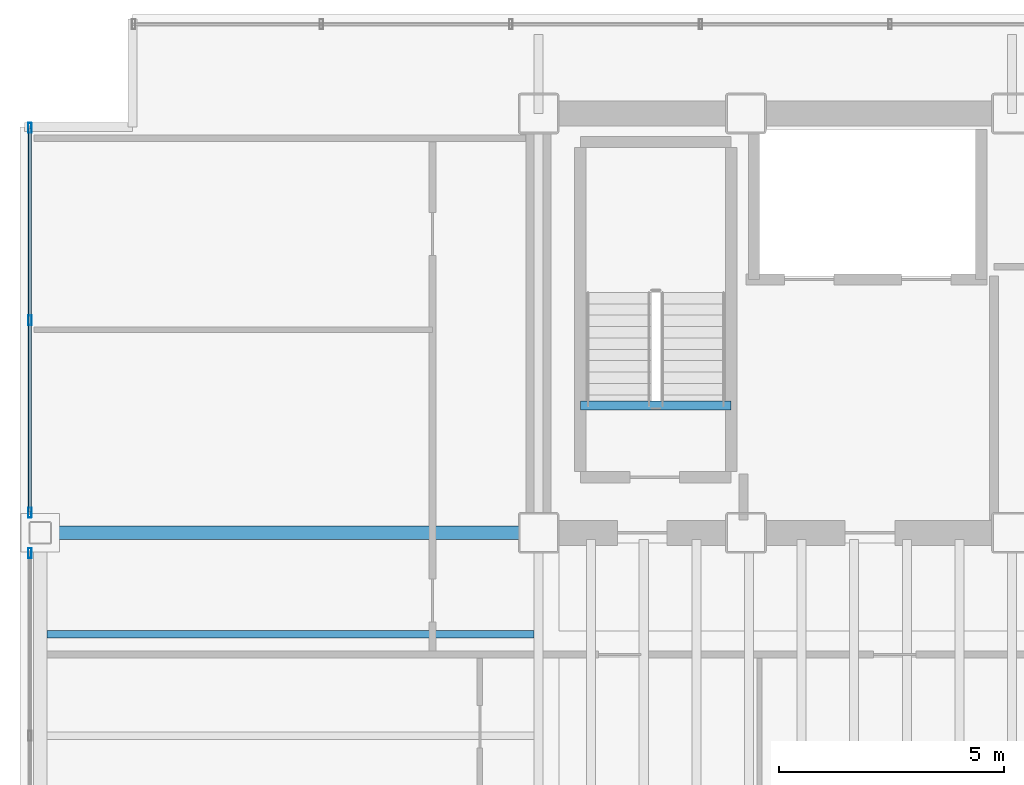
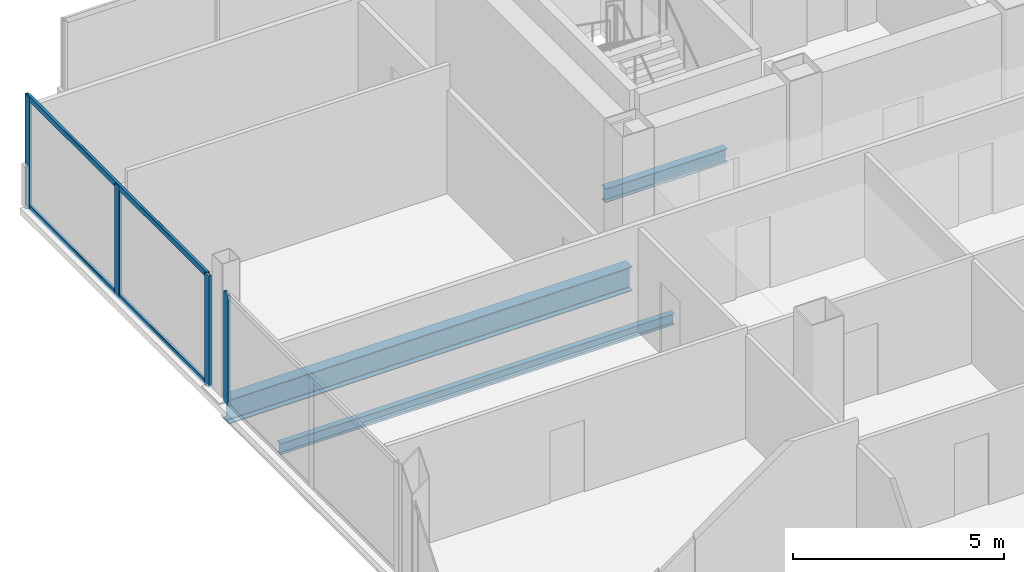
# One storey, part 8 of 22: 6 members, 3 beams, 2 elements without a shape of their own.
"""IFC4 building model written with IfcOpenShell, lengths in metres."""

from ifc_helpers import new_model, si_unit, direction, frame, origin, origin_2d, place, context, subcontext, project, spatial, hollow_rectangle, i_section, extrude, material, material_profile, profile_set, type_object, element, aggregate, save


model = new_model("IFC4")

# Units and contexts
model_context = context("Model", 3, precision=1e-05, world=origin(), true_north=direction((0.0, 1.0)))
body_context = subcontext(model_context, "Body", "Model", "MODEL_VIEW")
ifc_project = project(units=[si_unit("LENGTHUNIT", "METRE"), si_unit("AREAUNIT", "SQUARE_METRE"), si_unit("VOLUMEUNIT", "CUBIC_METRE"), si_unit("PLANEANGLEUNIT", "RADIAN"), si_unit("MASSUNIT", "GRAM", prefix="KILO")], contexts=[model_context])

# Site, building, storey
site_placement = place(None, origin())
site = spatial("IfcSite", under=ifc_project, at=site_placement, CompositionType="ELEMENT")
building_placement = place(site_placement, origin())
building = spatial("IfcBuilding", under=site, at=building_placement, Name="Noeulbin Bourse Tower", CompositionType="ELEMENT")
storey_placement = place(building_placement, frame((0.0, 0.0, 130.5)))
storey = spatial("IfcBuildingStorey", under=building, at=storey_placement, Name="L32", CompositionType="ELEMENT", Elevation=130.5)

# Beams
ifc_material_1 = material(Name="Steel S355", Category="steel")
ifc_material_profile_1 = material_profile(ifc_material_1, i_section(OverallWidth=0.300048828125, OverallDepth=0.699951171875, WebThickness=0.012939453125, FlangeThickness=0.02392578125, FilletRadius=0.02392578125, at=origin_2d()), Name="H-700x300x13x24", Category="LoadBearing")
ifc_profile_set_1 = profile_set([ifc_material_profile_1], Name="Steel S355")
beam_type_1 = type_object("IfcBeamType", Name="BM-GRD-700", PredefinedType="USERDEFINED", material=ifc_profile_set_1)
beam_1_placement = place(storey_placement, frame((2.449951171875, 29.0, -0.530029296875), z_axis=(1.0, 0.0, 0.0), x_axis=(0.0, 1.0, 0.0)))
element("IfcBeam", 1, at=beam_1_placement, inside=storey, type_object=beam_type_1, Name="Tower Primary Girder EW L32-2.1", ObjectType="GIRDER", PredefinedType="USERDEFINED", context=body_context, shape_type="SweptSolid", body=[
    extrude(i_section(OverallWidth=0.300048828125, OverallDepth=0.699951171875, WebThickness=0.012939453125, FlangeThickness=0.02392578125, FilletRadius=0.02392578125, at=origin_2d()), origin(), (0.0, 0.0, 1.0), 11.050048828125),
])
ifc_material_profile_2 = material_profile(ifc_material_1, i_section(OverallWidth=0.159912109375, OverallDepth=0.320068359375, WebThickness=0.006591796875, FlangeThickness=0.010009765625, FilletRadius=0.012939453125, at=origin_2d()), Name="H-320x160x6.5x10", Category="LoadBearing")
ifc_profile_set_2 = profile_set([ifc_material_profile_2], Name="Steel S355")
beam_type_2 = type_object("IfcBeamType", Name="BM-JST-320", PredefinedType="JOIST", material=ifc_profile_set_2)
beam_2_placement = place(storey_placement, frame((2.60009765625, 26.75, -0.340087890625), z_axis=(1.0, 0.0, 0.0), x_axis=(0.0, 1.0, 0.0)))
element("IfcBeam", 2, at=beam_2_placement, inside=storey, type_object=beam_type_2, Name="Wing Composite Joist L32-W49", PredefinedType="JOIST", context=body_context, shape_type="SweptSolid", body=[
    extrude(i_section(OverallWidth=0.159912109375, OverallDepth=0.320068359375, WebThickness=0.006591796875, FlangeThickness=0.010009765625, FilletRadius=0.012939453125, at=origin_2d()), origin(), (0.0, 0.0, 1.0), 10.7998046875),
])
ifc_material_profile_3 = material_profile(ifc_material_1, i_section(OverallWidth=0.199951171875, OverallDepth=0.39990234375, WebThickness=0.008056640625, FlangeThickness=0.012939453125, FilletRadius=0.01611328125, at=origin_2d()), Name="H-400x200x8x13", Category="LoadBearing")
ifc_profile_set_3 = profile_set([ifc_material_profile_3], Name="Steel S355")
beam_type_3 = type_object("IfcBeamType", Name="BM-SEC-400", PredefinedType="BEAM", material=ifc_profile_set_3)
beam_3_placement = place(storey_placement, frame((14.429931640625, 31.820068359375, -0.199951171875), z_axis=(1.0, 0.0, 0.0), x_axis=(0.0, 1.0, 0.0)))
element("IfcBeam", 3, at=beam_3_placement, inside=storey, type_object=beam_type_3, Name="Stair Threshold Trimmer Beam ST1-L32", PredefinedType="BEAM", context=body_context, shape_type="SweptSolid", body=[
    extrude(i_section(OverallWidth=0.199951171875, OverallDepth=0.39990234375, WebThickness=0.008056640625, FlangeThickness=0.012939453125, FilletRadius=0.01611328125, at=origin_2d()), origin(), (0.0, 0.0, 1.0), 3.340087890625),
])

# Curtain wall, member
ifc_material_2 = material(Name="Dark Tinted Triple Glazing", Category="glass")
curtain_wall_type = type_object("IfcCurtainWallType", Name="CW-SYS-3", PredefinedType="NOTDEFINED", material=ifc_material_2)
curtain_wall_1_placement = place(storey_placement, origin())
curtain_wall_1 = element("IfcCurtainWall", 4, at=curtain_wall_1_placement, inside=storey, type_object=curtain_wall_type, Name="Unitised Curtain Wall CW-L32-W-S2", PredefinedType="NOTDEFINED")
ifc_material_3 = material(Name="Anodised Aluminium 6063-T6", Category="aluminium")
ifc_material_profile_4 = material_profile(ifc_material_3, hollow_rectangle(XDim=0.074951171875, YDim=0.219970703125, WallThickness=0.0048828125, InnerFilletRadius=0.00244140625, OuterFilletRadius=0.0048828125, at=origin_2d()), Name="ALU-MULL-75x220x5", Category="LoadBearing")
ifc_profile_set_4 = profile_set([ifc_material_profile_4], Name="Anodised Aluminium 6063-T6")
member_type_1 = type_object("IfcMemberType", Name="CW-SYS-3-MUL", PredefinedType="MULLION", material=ifc_profile_set_4)
member_1_placement = place(storey_placement, frame((2.219970703125, 28.550048828125, -0.02001953125), z_axis=(0.0, 0.0, 1.0), x_axis=(1.0, 0.0, 0.0)))
member_1 = element("IfcMember", 5, at=member_1_placement, type_object=member_type_1, Name="Curtain Wall Mullion CW-L32-W-S2-M02", PredefinedType="MULLION", context=body_context, shape_type="SweptSolid", body=[
    extrude(hollow_rectangle(XDim=0.074951171875, YDim=0.219970703125, WallThickness=0.0048828125, InnerFilletRadius=0.00244140625, OuterFilletRadius=0.0048828125, at=origin_2d()), origin(), (0.0, 0.0, 1.0), 3.219970703125),
])
aggregate(curtain_wall_1, [member_1])

# Curtain wall, members
curtain_wall_2_placement = place(storey_placement, origin())
curtain_wall_2 = element("IfcCurtainWall", 6, at=curtain_wall_2_placement, inside=storey, type_object=curtain_wall_type, Name="Unitised Curtain Wall CW-L32-W-S3", PredefinedType="NOTDEFINED")
member_2_placement = place(storey_placement, frame((2.219970703125, 29.449951171875, -0.02001953125), z_axis=(0.0, 0.0, 1.0), x_axis=(1.0, 0.0, 0.0)))
member_2 = element("IfcMember", 7, at=member_2_placement, type_object=member_type_1, Name="Curtain Wall Mullion CW-L32-W-S3-M00", PredefinedType="MULLION", context=body_context, shape_type="SweptSolid", body=[
    extrude(hollow_rectangle(XDim=0.074951171875, YDim=0.219970703125, WallThickness=0.0048828125, InnerFilletRadius=0.00244140625, OuterFilletRadius=0.0048828125, at=origin_2d()), origin(), (0.0, 0.0, 1.0), 3.219970703125),
])
member_3_placement = place(storey_placement, frame((2.219970703125, 33.715087890625, -0.02001953125), z_axis=(0.0, 0.0, 1.0), x_axis=(1.0, 0.0, 0.0)))
member_3 = element("IfcMember", 8, at=member_3_placement, type_object=member_type_1, Name="Curtain Wall Mullion CW-L32-W-S3-M01", PredefinedType="MULLION", context=body_context, shape_type="SweptSolid", body=[
    extrude(hollow_rectangle(XDim=0.074951171875, YDim=0.219970703125, WallThickness=0.0048828125, InnerFilletRadius=0.00244140625, OuterFilletRadius=0.0048828125, at=origin_2d()), origin(), (0.0, 0.0, 1.0), 3.219970703125),
])
member_4_placement = place(storey_placement, frame((2.219970703125, 37.97998046875, -0.02001953125), z_axis=(0.0, 0.0, 1.0), x_axis=(1.0, 0.0, 0.0)))
member_4 = element("IfcMember", 9, at=member_4_placement, type_object=member_type_1, Name="Curtain Wall Mullion CW-L32-W-S3-M02", PredefinedType="MULLION", context=body_context, shape_type="SweptSolid", body=[
    extrude(hollow_rectangle(XDim=0.074951171875, YDim=0.219970703125, WallThickness=0.0048828125, InnerFilletRadius=0.00244140625, OuterFilletRadius=0.0048828125, at=origin_2d()), origin(), (0.0, 0.0, 1.0), 3.219970703125),
])
ifc_material_profile_5 = material_profile(ifc_material_3, hollow_rectangle(XDim=0.074951171875, YDim=0.159912109375, WallThickness=0.0048828125, InnerFilletRadius=0.00244140625, OuterFilletRadius=0.0048828125, at=origin_2d()), Name="ALU-TRAN-75x160x5", Category="LoadBearing")
ifc_profile_set_5 = profile_set([ifc_material_profile_5], Name="Anodised Aluminium 6063-T6")
member_type_2 = type_object("IfcMemberType", Name="CW-SYS-3-TRN", PredefinedType="USERDEFINED", material=ifc_profile_set_5)
member_5_placement = place(storey_placement, frame((2.219970703125, 29.4599609375, 0.010009765625), z_axis=(0.0, 1.0, 0.0), x_axis=(-1.0, 0.0, 0.0)))
member_5 = element("IfcMember", 10, at=member_5_placement, type_object=member_type_2, Name="Curtain Wall Transom CW-L32-W-S3-T00", ObjectType="TRANSOM", PredefinedType="USERDEFINED", context=body_context, shape_type="SweptSolid", body=[
    extrude(hollow_rectangle(XDim=0.074951171875, YDim=0.159912109375, WallThickness=0.0048828125, InnerFilletRadius=0.00244140625, OuterFilletRadius=0.0048828125, at=origin_2d()), origin(), (0.0, 0.0, 1.0), 8.510009765625),
])
member_6_placement = place(storey_placement, frame((2.219970703125, 29.4599609375, 3.169921875), z_axis=(0.0, 1.0, 0.0), x_axis=(-1.0, 0.0, 0.0)))
member_6 = element("IfcMember", 11, at=member_6_placement, type_object=member_type_2, Name="Curtain Wall Transom CW-L32-W-S3-T01", ObjectType="TRANSOM", PredefinedType="USERDEFINED", context=body_context, shape_type="SweptSolid", body=[
    extrude(hollow_rectangle(XDim=0.074951171875, YDim=0.159912109375, WallThickness=0.0048828125, InnerFilletRadius=0.00244140625, OuterFilletRadius=0.0048828125, at=origin_2d()), origin(), (0.0, 0.0, 1.0), 8.510009765625),
])
aggregate(curtain_wall_2, [member_2, member_3, member_4, member_5, member_6])

save(model, "model.ifc")
